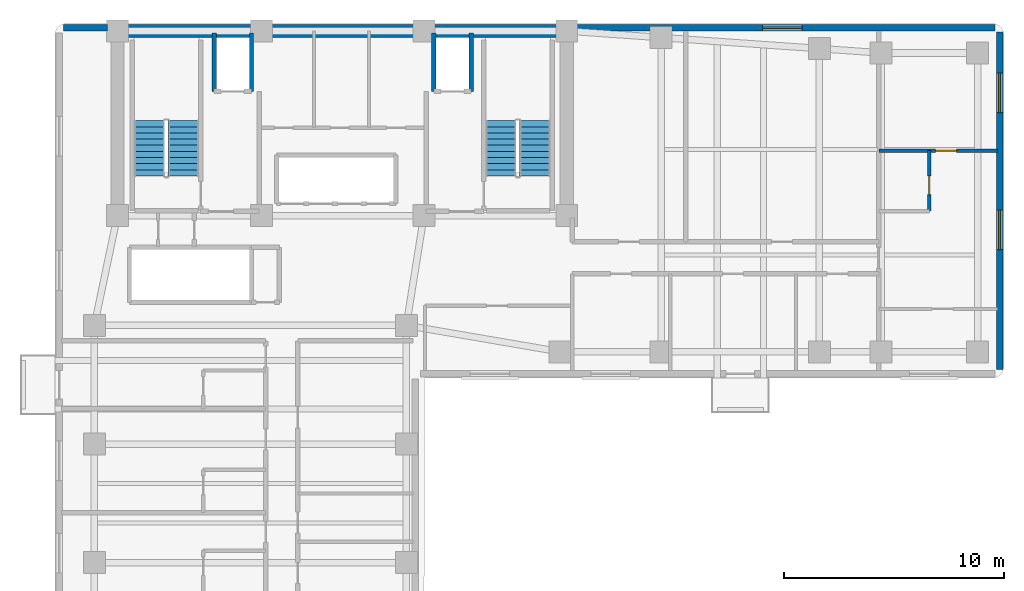
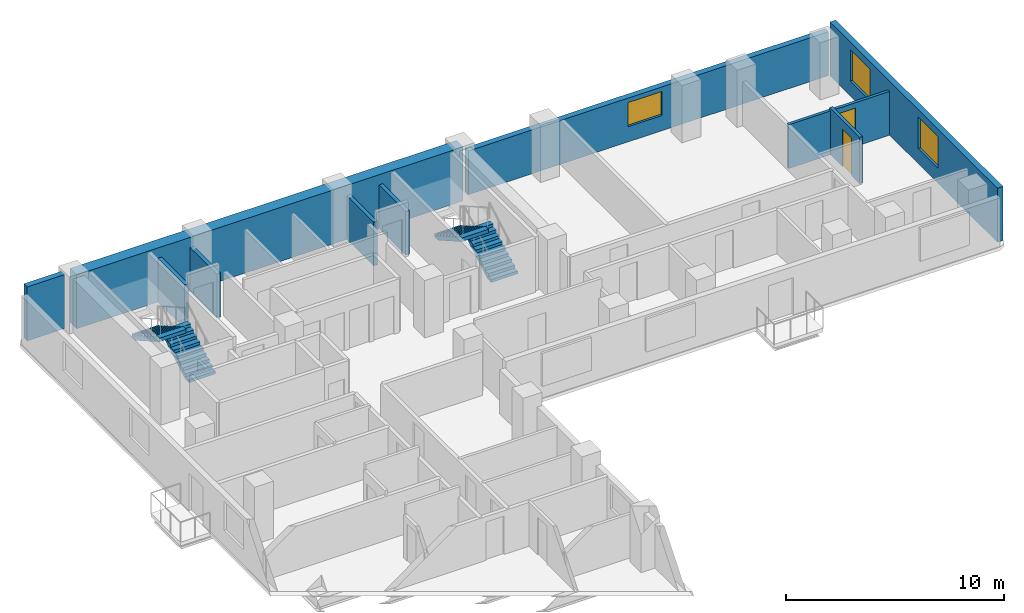
# One storey, part 5 of 7: 10 walls, 4 stair flights, 3 windows, 2 doors, 5 openings, 2 elements without a shape of their own.
"""IFC4 building model written with IfcOpenShell, lengths in metres."""

from ifc_helpers import new_model, si_unit, direction, frame, frame_2d, origin, place, context, subcontext, project, spatial, polyline, rectangle, outline, extrude, material, layer, layer_set, type_object, element, fill, aggregate, save


model = new_model("IFC4")

# Units and contexts
model_context = context("Model", 3, precision=1e-05, world=origin(), true_north=direction((0.0, 1.0)))
body_context = subcontext(model_context, "Body", "Model", "MODEL_VIEW")
ifc_project = project(units=[si_unit("LENGTHUNIT", "METRE"), si_unit("AREAUNIT", "SQUARE_METRE"), si_unit("VOLUMEUNIT", "CUBIC_METRE"), si_unit("PLANEANGLEUNIT", "RADIAN"), si_unit("MASSUNIT", "GRAM", prefix="KILO")], contexts=[model_context])

# Site, building, storey
site_placement = place(None, origin())
site = spatial("IfcSite", under=ifc_project, at=site_placement, CompositionType="ELEMENT")
building_placement = place(site_placement, origin())
building = spatial("IfcBuilding", under=site, at=building_placement, Name="Kuzgunbayir Cultural Tower", CompositionType="ELEMENT")
storey_placement = place(building_placement, frame((0.0, 0.0, 123.39990234375)))
storey = spatial("IfcBuildingStorey", under=building, at=storey_placement, Name="L35", CompositionType="ELEMENT", Elevation=123.39990234375)

# Wall
ifc_material_1 = material(Name="Concrete C60/75", Category="concrete")
ifc_layer_1 = layer(ifc_material_1, 0.60009765625)
ifc_layer_set_1 = layer_set([ifc_layer_1], Name="Concrete C60/75")
wall_type_1 = type_object("IfcWallType", Name="WAL-CORE-600", PredefinedType="SHEAR", material=ifc_layer_set_1)
wall_1_placement = place(storey_placement, frame((6.449951171875, 42.199951171875, 0.0), z_axis=(0.0, 0.0, 1.0), x_axis=(1.0, 0.0, 0.0)))
element("IfcWall", 1, at=wall_1_placement, inside=storey, type_object=wall_type_1, Name="L35 T1 Core North Shear Wall", PredefinedType="SHEAR", context=body_context, shape_type="SweptSolid", body=[
    extrude(rectangle(XDim=20.449951171875, YDim=0.60009765625, at=frame_2d((10.22509765625, 0.0))), origin(), (0.0, 0.0, 1.0), 3.02001953125),
])

# Wall, opening, window
ifc_material_2 = material(Name="Anatolian Cream Limestone", Category="masonry")
ifc_layer_2 = layer(ifc_material_2, 0.300048828125)
ifc_layer_set_2 = layer_set([ifc_layer_2], Name="Anatolian Cream Limestone")
wall_type_2 = type_object("IfcWallType", Name="WAL-EXT-STONE-300", PredefinedType="STANDARD", material=ifc_layer_set_2)
wall_2_placement = place(storey_placement, frame((46.39990234375, 42.35009765625, 0.0), z_axis=(0.0, 0.0, 1.0), x_axis=(-1.0, 0.0, 0.0)))
wall_2 = element("IfcWall", 2, at=wall_2_placement, inside=storey, type_object=wall_type_2, Name="L35 North Wing B Limestone Wall", PredefinedType="STANDARD", context=body_context, shape_type="SweptSolid", body=[
    extrude(rectangle(XDim=19.0498046875, YDim=0.300048828125, at=frame_2d((9.52490234375, 0.0))), origin(), (0.0, 0.0, 1.0), 2.4501953125),
])
opening_1_placement = place(wall_2_placement, frame((8.7900390625, 0.0, 0.85009765625)))
opening_1 = element("IfcOpeningElement", 3, at=opening_1_placement, cuts=wall_2, Name="Opening WH-18", PredefinedType="OPENING", context=body_context, shape_type="SweptSolid", body=[
    extrude(rectangle(XDim=1.800048828125, YDim=1.35009765625, at=frame_2d((0.89990234375, 0.675048828125))), frame((0.0, 0.16015625, 0.0), z_axis=(0.0, -1.0, 0.0), x_axis=(1.0, 0.0, 0.0)), (0.0, 0.0, 1.0), 0.320068359375),
])
ifc_material_3 = material(Name="Solar-Control Triple Glazing", Category="glass")
window_type = type_object("IfcWindowType", Name="WIN-HOTEL-18", PartitioningType="SINGLE_PANEL", PredefinedType="WINDOW", material=ifc_material_3)
window_1_placement = place(opening_1_placement, origin())
window_1 = element("IfcWindow", 4, at=window_1_placement, inside=storey, type_object=window_type, Name="L35 CRN Facade Window 6", OverallHeight=1.35009765625, OverallWidth=1.800048828125, PartitioningType="SINGLE_PANEL", PredefinedType="WINDOW", context=body_context, shape_type="SweptSolid", body=[
    extrude(rectangle(XDim=1.800048828125, YDim=1.35009765625, at=frame_2d((0.89990234375, 0.675048828125))), frame((0.0, 0.030029296875, 0.0), z_axis=(0.0, -1.0, 0.0), x_axis=(1.0, 0.0, 0.0)), (0.0, 0.0, 1.0), 0.06005859375),
])
fill(opening_1, window_1)

# Wall
wall_3_placement = place(storey_placement, frame((6.0, 42.35009765625, 0.0), z_axis=(0.0, 0.0, 1.0), x_axis=(-1.0, 0.0, 0.0)))
element("IfcWall", 5, at=wall_3_placement, inside=storey, type_object=wall_type_2, Name="L35 Core North-West Spandrel Link", PredefinedType="STANDARD", context=body_context, shape_type="SweptSolid", body=[
    extrude(rectangle(XDim=2.0, YDim=0.300048828125, at=frame_2d((1.0, 0.0))), origin(), (0.0, 0.0, 1.0), 3.02001953125),
])

# Wall, openings, windows
wall_4_placement = place(storey_placement, frame((46.60009765625, 26.800048828125, 0.0), z_axis=(0.0, 0.0, 1.0), x_axis=(0.0, 1.0, 0.0)))
wall_4 = element("IfcWall", 6, at=wall_4_placement, inside=storey, type_object=wall_type_2, Name="L35 Wing B East Limestone Wall", PredefinedType="STANDARD", context=body_context, shape_type="SweptSolid", body=[
    extrude(rectangle(XDim=15.349853515625, YDim=0.300048828125, at=frame_2d((7.6748046875, 0.0))), origin(), (0.0, 0.0, 1.0), 3.02001953125),
])
opening_2_placement = place(wall_4_placement, frame((5.449951171875, 0.0, 0.85009765625)))
opening_2 = element("IfcOpeningElement", 7, at=opening_2_placement, cuts=wall_4, Name="Opening WH-18", PredefinedType="OPENING", context=body_context, shape_type="SweptSolid", body=[
    extrude(rectangle(XDim=1.800048828125, YDim=1.75, at=frame_2d((0.89990234375, 0.875))), frame((0.0, 0.16015625, 0.0), z_axis=(0.0, -1.0, 0.0), x_axis=(1.0, 0.0, 0.0)), (0.0, 0.0, 1.0), 0.320068359375),
])
opening_3_placement = place(wall_4_placement, frame((11.679931640625, 0.0, 0.85009765625)))
opening_3 = element("IfcOpeningElement", 8, at=opening_3_placement, cuts=wall_4, Name="Opening WH-18", PredefinedType="OPENING", context=body_context, shape_type="SweptSolid", body=[
    extrude(rectangle(XDim=1.800048828125, YDim=1.75, at=frame_2d((0.89990234375, 0.875))), frame((0.0, 0.16015625, 0.0), z_axis=(0.0, -1.0, 0.0), x_axis=(1.0, 0.0, 0.0)), (0.0, 0.0, 1.0), 0.320068359375),
])
window_2_placement = place(opening_2_placement, origin())
window_2 = element("IfcWindow", 9, at=window_2_placement, inside=storey, type_object=window_type, Name="L35 WBE Facade Window 4", OverallHeight=1.75, OverallWidth=1.800048828125, PartitioningType="SINGLE_PANEL", PredefinedType="WINDOW", context=body_context, shape_type="SweptSolid", body=[
    extrude(rectangle(XDim=1.800048828125, YDim=1.75, at=frame_2d((0.89990234375, 0.875))), frame((0.0, 0.030029296875, 0.0), z_axis=(0.0, -1.0, 0.0), x_axis=(1.0, 0.0, 0.0)), (0.0, 0.0, 1.0), 0.06005859375),
])
fill(opening_2, window_2)
window_3_placement = place(opening_3_placement, origin())
window_3 = element("IfcWindow", 10, at=window_3_placement, inside=storey, type_object=window_type, Name="L35 WBE Facade Window 5", OverallHeight=1.75, OverallWidth=1.800048828125, PartitioningType="SINGLE_PANEL", PredefinedType="WINDOW", context=body_context, shape_type="SweptSolid", body=[
    extrude(rectangle(XDim=1.800048828125, YDim=1.75, at=frame_2d((0.89990234375, 0.875))), frame((0.0, 0.030029296875, 0.0), z_axis=(0.0, -1.0, 0.0), x_axis=(1.0, 0.0, 0.0)), (0.0, 0.0, 1.0), 0.06005859375),
])
fill(opening_3, window_3)

# Wall, opening, door
ifc_material_4 = material(Name="Acoustic Double-Stud Drywall", Category="gypsum")
ifc_layer_3 = layer(ifc_material_4, 0.14990234375)
ifc_layer_set_3 = layer_set([ifc_layer_3], Name="Acoustic Double-Stud Drywall")
wall_type_3 = type_object("IfcWallType", Name="WAL-PART-ACOUSTIC-150", PredefinedType="PARTITIONING", material=ifc_layer_set_3)
wall_5_placement = place(storey_placement, frame((41.10009765625, 36.75, 0.0), z_axis=(0.0, 0.0, 1.0), x_axis=(1.0, 0.0, 0.0)))
wall_5 = element("IfcWall", 11, at=wall_5_placement, inside=storey, type_object=wall_type_3, Name="L35 Corner Suite Bedroom Wall", PredefinedType="PARTITIONING", context=body_context, shape_type="SweptSolid", body=[
    extrude(rectangle(XDim=5.39990234375, YDim=0.14990234375, at=frame_2d((2.699951171875, 0.0))), origin(), (0.0, 0.0, 1.0), 2.4501953125),
])
opening_4_placement = place(wall_5_placement, frame((2.590087890625, 0.0, 0.0)))
opening_4 = element("IfcOpeningElement", 12, at=opening_4_placement, cuts=wall_5, Name="Opening DI-90", PredefinedType="OPENING", context=body_context, shape_type="SweptSolid", body=[
    extrude(rectangle(XDim=0.949951171875, YDim=2.14990234375, at=frame_2d((0.47509765625, 1.074951171875))), frame((0.0, 0.0849609375, 0.0), z_axis=(0.0, -1.0, 0.0), x_axis=(1.0, 0.0, 0.0)), (0.0, 0.0, 1.0), 0.169921875),
])
ifc_material_5 = material(Name="Veneered Oak Single Leaf", Category="wood")
door_type_1 = type_object("IfcDoorType", Name="DR-INT-90", OperationType="NOTDEFINED", PredefinedType="DOOR", material=ifc_material_5)
door_1_placement = place(opening_4_placement, origin())
door_1 = element("IfcDoor", 13, at=door_1_placement, inside=storey, type_object=door_type_1, Name="L35 Corner Bedroom Door", OperationType="SINGLE_SWING_RIGHT", OverallHeight=2.14990234375, OverallWidth=0.949951171875, PredefinedType="DOOR", context=body_context, shape_type="SweptSolid", body=[
    extrude(rectangle(XDim=0.949951171875, YDim=2.14990234375, at=frame_2d((0.47509765625, 1.074951171875))), frame((0.0, 0.02490234375, 0.0), z_axis=(0.0, -1.0, 0.0), x_axis=(1.0, 0.0, 0.0)), (0.0, 0.0, 1.0), 0.050048828125),
])
fill(opening_4, door_1)

ifc_material_6 = material(Name="Moisture-Resistant Tile Partition", Category="gypsum")
ifc_layer_4 = layer(ifc_material_6, 0.14990234375)
ifc_layer_set_4 = layer_set([ifc_layer_4], Name="Moisture-Resistant Tile Partition")
wall_type_4 = type_object("IfcWallType", Name="WAL-PART-WET-150", PredefinedType="PARTITIONING", material=ifc_layer_set_4)
wall_6_placement = place(storey_placement, frame((43.39990234375, 34.0, 0.0), z_axis=(0.0, 0.0, 1.0), x_axis=(0.0, 1.0, 0.0)))
wall_6 = element("IfcWall", 14, at=wall_6_placement, inside=storey, type_object=wall_type_4, Name="L35 Corner Suite Bath East Wall", PredefinedType="PARTITIONING", context=body_context, shape_type="SweptSolid", body=[
    extrude(rectangle(XDim=2.75, YDim=0.14990234375, at=frame_2d((1.375, 0.0))), origin(), (0.0, 0.0, 1.0), 2.60009765625),
])
opening_5_placement = place(wall_6_placement, frame((0.75, 0.0, 0.0)))
opening_5 = element("IfcOpeningElement", 15, at=opening_5_placement, cuts=wall_6, Name="Opening DW-85", PredefinedType="OPENING", context=body_context, shape_type="SweptSolid", body=[
    extrude(rectangle(XDim=0.85009765625, YDim=2.10009765625, at=frame_2d((0.425048828125, 1.050048828125))), frame((0.0, 0.0849609375, 0.0), z_axis=(0.0, -1.0, 0.0), x_axis=(1.0, 0.0, 0.0)), (0.0, 0.0, 1.0), 0.169921875),
])
ifc_material_7 = material(Name="Laminate Moisture-Resistant Leaf", Category="wood")
door_type_2 = type_object("IfcDoorType", Name="DR-WET-85", OperationType="NOTDEFINED", PredefinedType="DOOR", material=ifc_material_7)
door_2_placement = place(opening_5_placement, origin())
door_2 = element("IfcDoor", 16, at=door_2_placement, inside=storey, type_object=door_type_2, Name="L35 Corner Suite Bathroom Door", OperationType="SINGLE_SWING_LEFT", OverallHeight=2.10009765625, OverallWidth=0.85009765625, PredefinedType="DOOR", context=body_context, shape_type="SweptSolid", body=[
    extrude(rectangle(XDim=0.85009765625, YDim=2.10009765625, at=frame_2d((0.425048828125, 1.050048828125))), frame((0.0, 0.02490234375, 0.0), z_axis=(0.0, -1.0, 0.0), x_axis=(1.0, 0.0, 0.0)), (0.0, 0.0, 1.0), 0.050048828125),
])
fill(opening_5, door_2)

# Walls
ifc_material_8 = material(Name="Concrete C40/50", Category="concrete")
ifc_layer_5 = layer(ifc_material_8, 0.199951171875)
ifc_layer_set_5 = layer_set([ifc_layer_5], Name="Concrete C40/50")
wall_type_5 = type_object("IfcWallType", Name="WAL-SHAFT-200", PredefinedType="MOVABLE", material=ifc_layer_set_5)
for number, where, z_axis, x_axis, name in (
    (17, (10.85009765625, 39.449951171875, 0.0), (0.0, 0.0, 1.0), (0.0, 1.0, 0.0), "L35 FFL-1 Shaft West Wall"),
    (18, (12.550048828125, 39.449951171875, 0.0), (0.0, 0.0, 1.0), (0.0, 1.0, 0.0), "L35 FFL-1 Shaft East Wall"),
    (19, (20.85009765625, 39.449951171875, 0.0), (0.0, 0.0, 1.0), (0.0, 1.0, 0.0), "L35 FFL-2 Shaft West Wall"),
    (20, (22.550048828125, 39.449951171875, 0.0), (0.0, 0.0, 1.0), (0.0, 1.0, 0.0), "L35 FFL-2 Shaft East Wall"),
):
    element("IfcWall", number, at=place(storey_placement, frame(where, z_axis=z_axis, x_axis=x_axis)), inside=storey, type_object=wall_type_5, Name=name, PredefinedType="MOVABLE", context=body_context, shape_type="SweptSolid", body=[
        extrude(rectangle(XDim=2.650146484375, YDim=0.199951171875, at=frame_2d((1.3251953125, 0.0))), origin(), (0.0, 0.0, 1.0), 2.4501953125),
    ])

# Stair, stair flights
stair_type = type_object("IfcStairType", Name="STR-EXIT-CORE", PredefinedType="HALF_TURN_STAIR", material=ifc_material_8)
stair_1_placement = place(storey_placement, origin())
stair_1 = element("IfcStair", 21, at=stair_1_placement, inside=storey, type_object=stair_type, Name="L35 ST-1", PredefinedType="HALF_TURN_STAIR")
stair_flight_type = type_object("IfcStairFlightType", Name="STRF-RC-140", PredefinedType="STRAIGHT", material=ifc_material_8)
stair_flight_1_placement = place(storey_placement, frame((9.4599609375, 35.60009765625, 0.0), z_axis=(0.0, 0.0, 1.0), x_axis=(0.0, 1.0, 0.0)))
stair_flight_1 = element("IfcStairFlight", 22, at=stair_flight_1_placement, type_object=stair_flight_type, Name="ST-1 flight 1", NumberOfRisers=10, NumberOfTreads=9, PredefinedType="STRAIGHT", RiserHeight=0.16, TreadLength=0.28, context=body_context, shape_type="SweptSolid", body=[
    extrude(outline(polyline([(0.0, 0.0), (0.0, 0.159912109375), (0.280029296875, 0.159912109375), (0.280029296875, 0.320068359375), (0.56005859375, 0.320068359375), (0.56005859375, 0.47998046875), (0.840087890625, 0.47998046875), (0.840087890625, 0.639892578125), (1.1201171875, 0.639892578125), (1.1201171875, 0.800048828125), (1.39990234375, 0.800048828125), (1.39990234375, 0.9599609375), (1.679931640625, 0.9599609375), (1.679931640625, 1.1201171875), (1.9599609375, 1.1201171875), (1.9599609375, 1.280029296875), (2.239990234375, 1.280029296875), (2.239990234375, 1.43994140625), (2.52001953125, 1.43994140625), (2.52001953125, 1.60009765625), (2.52001953125, 1.232666015625), (0.362548828125, 0.0), (0.0, 0.0)])), frame((0.0, 0.699951171875, 0.0), z_axis=(0.0, -1.0, 0.0), x_axis=(1.0, 0.0, 0.0)), (0.0, 0.0, 1.0), 1.39990234375),
])
stair_flight_2_placement = place(storey_placement, frame((7.89990234375, 38.1201171875, 1.60009765625), z_axis=(0.0, 0.0, 1.0), x_axis=(0.0, -1.0, 0.0)))
stair_flight_2 = element("IfcStairFlight", 23, at=stair_flight_2_placement, type_object=stair_flight_type, Name="ST-1 flight 2", NumberOfRisers=10, NumberOfTreads=9, PredefinedType="STRAIGHT", RiserHeight=0.16, TreadLength=0.28, context=body_context, shape_type="SweptSolid", body=[
    extrude(outline(polyline([(0.0, 0.0), (0.0, 0.159912109375), (0.280029296875, 0.159912109375), (0.280029296875, 0.320068359375), (0.56005859375, 0.320068359375), (0.56005859375, 0.47998046875), (0.840087890625, 0.47998046875), (0.840087890625, 0.639892578125), (1.1201171875, 0.639892578125), (1.1201171875, 0.800048828125), (1.39990234375, 0.800048828125), (1.39990234375, 0.9599609375), (1.679931640625, 0.9599609375), (1.679931640625, 1.1201171875), (1.9599609375, 1.1201171875), (1.9599609375, 1.280029296875), (2.239990234375, 1.280029296875), (2.239990234375, 1.43994140625), (2.52001953125, 1.43994140625), (2.52001953125, 1.60009765625), (2.52001953125, 1.232666015625), (0.362548828125, 0.0), (0.0, 0.0)])), frame((0.0, 0.699951171875, 0.0), z_axis=(0.0, -1.0, 0.0), x_axis=(1.0, 0.0, 0.0)), (0.0, 0.0, 1.0), 1.39990234375),
])
aggregate(stair_1, [stair_flight_1, stair_flight_2])

stair_2_placement = place(storey_placement, origin())
stair_2 = element("IfcStair", 24, at=stair_2_placement, inside=storey, type_object=stair_type, Name="L35 ST-2", PredefinedType="HALF_TURN_STAIR")
stair_flight_3_placement = place(storey_placement, frame((25.4599609375, 35.60009765625, 0.0), z_axis=(0.0, 0.0, 1.0), x_axis=(0.0, 1.0, 0.0)))
stair_flight_3 = element("IfcStairFlight", 25, at=stair_flight_3_placement, type_object=stair_flight_type, Name="ST-2 flight 1", NumberOfRisers=10, NumberOfTreads=9, PredefinedType="STRAIGHT", RiserHeight=0.16, TreadLength=0.28, context=body_context, shape_type="SweptSolid", body=[
    extrude(outline(polyline([(0.0, 0.0), (0.0, 0.159912109375), (0.280029296875, 0.159912109375), (0.280029296875, 0.320068359375), (0.56005859375, 0.320068359375), (0.56005859375, 0.47998046875), (0.840087890625, 0.47998046875), (0.840087890625, 0.639892578125), (1.1201171875, 0.639892578125), (1.1201171875, 0.800048828125), (1.39990234375, 0.800048828125), (1.39990234375, 0.9599609375), (1.679931640625, 0.9599609375), (1.679931640625, 1.1201171875), (1.9599609375, 1.1201171875), (1.9599609375, 1.280029296875), (2.239990234375, 1.280029296875), (2.239990234375, 1.43994140625), (2.52001953125, 1.43994140625), (2.52001953125, 1.60009765625), (2.52001953125, 1.232666015625), (0.362548828125, 0.0), (0.0, 0.0)])), frame((0.0, 0.699951171875, 0.0), z_axis=(0.0, -1.0, 0.0), x_axis=(1.0, 0.0, 0.0)), (0.0, 0.0, 1.0), 1.39990234375),
])
stair_flight_4_placement = place(storey_placement, frame((23.89990234375, 38.1201171875, 1.60009765625), z_axis=(0.0, 0.0, 1.0), x_axis=(0.0, -1.0, 0.0)))
stair_flight_4 = element("IfcStairFlight", 26, at=stair_flight_4_placement, type_object=stair_flight_type, Name="ST-2 flight 2", NumberOfRisers=10, NumberOfTreads=9, PredefinedType="STRAIGHT", RiserHeight=0.16, TreadLength=0.28, context=body_context, shape_type="SweptSolid", body=[
    extrude(outline(polyline([(0.0, 0.0), (0.0, 0.159912109375), (0.280029296875, 0.159912109375), (0.280029296875, 0.320068359375), (0.56005859375, 0.320068359375), (0.56005859375, 0.47998046875), (0.840087890625, 0.47998046875), (0.840087890625, 0.639892578125), (1.1201171875, 0.639892578125), (1.1201171875, 0.800048828125), (1.39990234375, 0.800048828125), (1.39990234375, 0.9599609375), (1.679931640625, 0.9599609375), (1.679931640625, 1.1201171875), (1.9599609375, 1.1201171875), (1.9599609375, 1.280029296875), (2.239990234375, 1.280029296875), (2.239990234375, 1.43994140625), (2.52001953125, 1.43994140625), (2.52001953125, 1.60009765625), (2.52001953125, 1.232666015625), (0.362548828125, 0.0), (0.0, 0.0)])), frame((0.0, 0.699951171875, 0.0), z_axis=(0.0, -1.0, 0.0), x_axis=(1.0, 0.0, 0.0)), (0.0, 0.0, 1.0), 1.39990234375),
])
aggregate(stair_2, [stair_flight_3, stair_flight_4])

save(model, "model.ifc")
